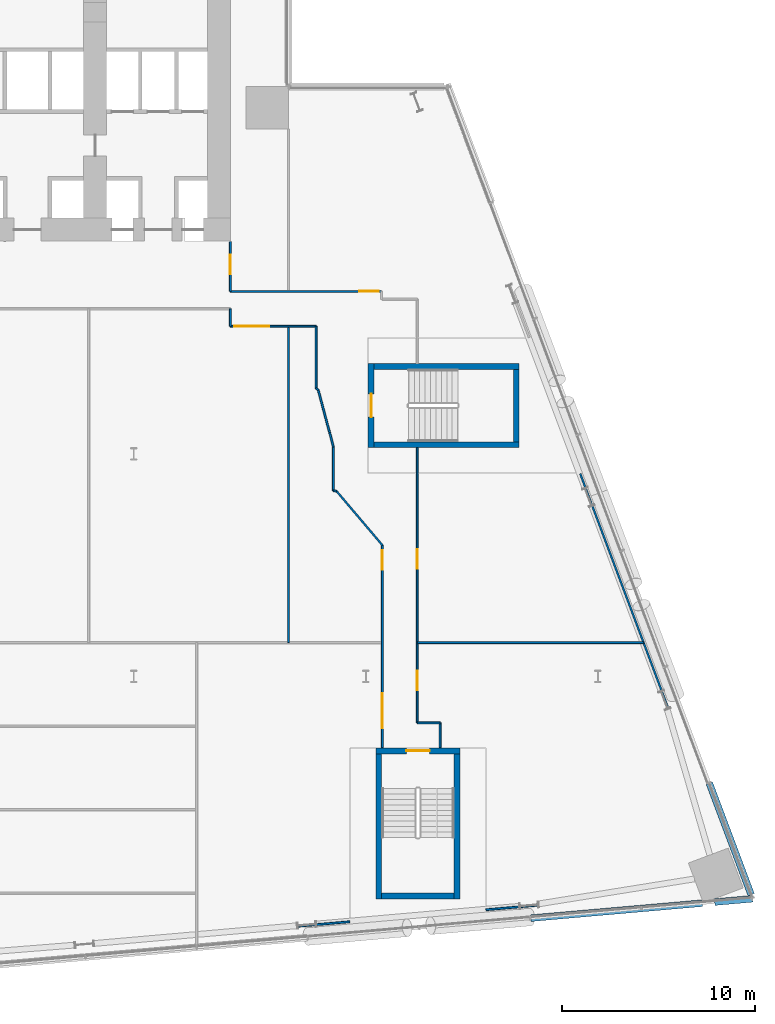
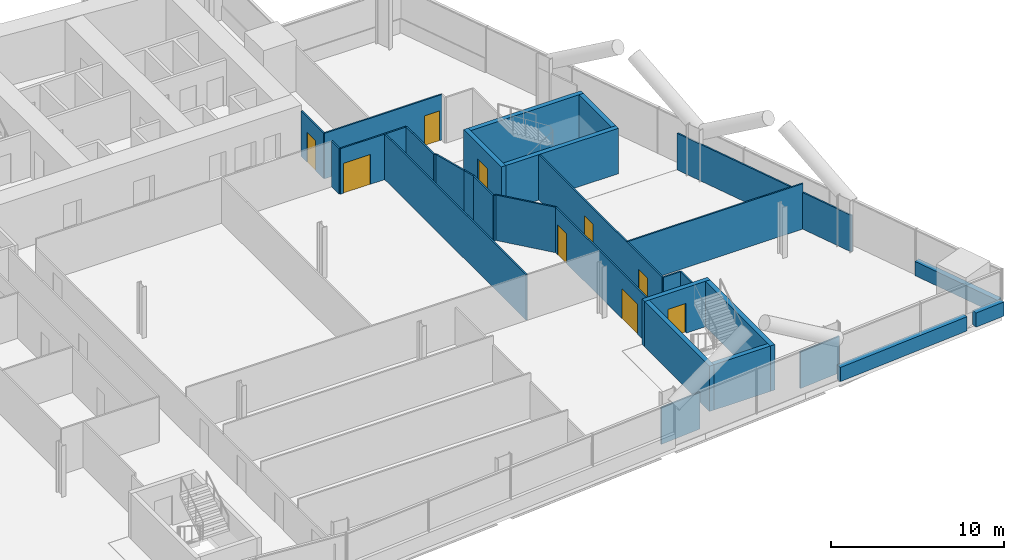
# One storey, part 18 of 27: 31 walls, 9 doors, 9 openings.
"""IFC4 building model written with IfcOpenShell, lengths in metres."""

from ifc_helpers import new_model, si_unit, direction, frame, frame_2d, origin, place, context, subcontext, project, spatial, rectangle, extrude, material, layer, layer_set, type_object, element, fill, save


model = new_model("IFC4")

# Units and contexts
model_context = context("Model", 3, precision=1e-05, world=origin(), true_north=direction((0.0, 1.0)))
body_context = subcontext(model_context, "Body", "Model", "MODEL_VIEW")
ifc_project = project(units=[si_unit("LENGTHUNIT", "METRE"), si_unit("AREAUNIT", "SQUARE_METRE"), si_unit("VOLUMEUNIT", "CUBIC_METRE"), si_unit("PLANEANGLEUNIT", "RADIAN"), si_unit("MASSUNIT", "GRAM", prefix="KILO")], contexts=[model_context])

# Site, building, storey
site_placement = place(None, origin())
site = spatial("IfcSite", under=ifc_project, at=site_placement, CompositionType="ELEMENT")
building_placement = place(site_placement, origin())
building = spatial("IfcBuilding", under=site, at=building_placement, Name="Wharfspan Tower", CompositionType="ELEMENT")
storey_placement = place(building_placement, frame((0.0, 0.0, 73.899902)))
storey = spatial("IfcBuildingStorey", under=building, at=storey_placement, Name="L15", CompositionType="ELEMENT", Elevation=73.899902)

# Wall
ifc_material_1 = material(Name="Gypsum board on steel studs", Category="steel")
ifc_layer_1 = layer(ifc_material_1, 0.100098)
ifc_layer_set_1 = layer_set([ifc_layer_1], Name="Gypsum board on steel studs")
wall_type_1 = type_object("IfcWallType", Name="Compartment wall 100 EI 60", PredefinedType="PARTITIONING", material=ifc_layer_set_1)
wall_1_placement = place(storey_placement, frame((65.0, 29.600098, 0.0), z_axis=(0.0, 0.0, 1.0), x_axis=(0.0, 1.0, 0.0)))
element("IfcWall", 1, at=wall_1_placement, inside=storey, type_object=wall_type_1, Name="Partition L15.w048", PredefinedType="PARTITIONING", context=body_context, shape_type="SweptSolid", body=[
    extrude(rectangle(XDim=0.899902, YDim=0.100098, at=frame_2d((0.449951, 0.0))), origin(), (0.0, 0.0, 1.0), 3.200195),
])

# Wall, opening, door
wall_2_placement = place(storey_placement, frame((65.0, 29.600098, 0.0), z_axis=(0.0, 0.0, 1.0), x_axis=(1.0, 0.0, 0.0)))
wall_2 = element("IfcWall", 2, at=wall_2_placement, inside=storey, type_object=wall_type_1, Name="Partition L15.w049", PredefinedType="PARTITIONING", context=body_context, shape_type="SweptSolid", body=[
    extrude(rectangle(XDim=4.425049, YDim=0.100098, at=frame_2d((2.212402, 0.0))), origin(), (0.0, 0.0, 1.0), 3.200195),
])
opening_1_placement = place(wall_2_placement, frame((0.199951, 0.0, 0.0)))
opening_1 = element("IfcOpeningElement", 3, at=opening_1_placement, cuts=wall_2, Name="Opening A4-29", PredefinedType="OPENING", context=body_context, shape_type="SweptSolid", body=[
    extrude(rectangle(XDim=1.800049, YDim=2.100098, at=frame_2d((0.899902, 1.050049))), frame((0.0, 0.060059, 0.0), z_axis=(0.0, -1.0, 0.0), x_axis=(1.0, 0.0, 0.0)), (0.0, 0.0, 1.0), 0.120117),
])
ifc_material_2 = material(Name="Fire-rated timber door leaf in steel frame", Category="steel")
door_type_1 = type_object("IfcDoorType", Name="Door 1800 FD30S Double", OperationType="DOUBLE_DOOR_SINGLE_SWING", PredefinedType="DOOR", material=ifc_material_2)
door_1_placement = place(opening_1_placement, origin())
door_1 = element("IfcDoor", 4, at=door_1_placement, inside=storey, type_object=door_type_1, Name="Door A4-29", OperationType="DOUBLE_DOOR_SINGLE_SWING", OverallHeight=2.100098, OverallWidth=1.800049, PredefinedType="DOOR", context=body_context, shape_type="SweptSolid", body=[
    extrude(rectangle(XDim=1.800049, YDim=2.100098, at=frame_2d((0.899902, 1.050049))), frame((0.0, 0.024902, 0.0), z_axis=(0.0, -1.0, 0.0), x_axis=(1.0, 0.0, 0.0)), (0.0, 0.0, 1.0), 0.050049),
])
fill(opening_1, door_1)

wall_3_placement = place(storey_placement, frame((65.0, 31.399902, 0.0), z_axis=(0.0, 0.0, 1.0), x_axis=(0.0, 1.0, 0.0)))
wall_3 = element("IfcWall", 5, at=wall_3_placement, inside=storey, type_object=wall_type_1, Name="Partition L15.w050", PredefinedType="PARTITIONING", context=body_context, shape_type="SweptSolid", body=[
    extrude(rectangle(XDim=2.580078, YDim=0.100098, at=frame_2d((1.290039, 0.0))), origin(), (0.0, 0.0, 1.0), 3.200195),
])
opening_2_placement = place(wall_3_placement, frame((0.899902, 0.0, 0.0)))
opening_2 = element("IfcOpeningElement", 6, at=opening_2_placement, cuts=wall_3, Name="Opening A4-34", PredefinedType="OPENING", context=body_context, shape_type="SweptSolid", body=[
    extrude(rectangle(XDim=1.0, YDim=2.100098, at=frame_2d((0.5, 1.050049))), frame((0.0, 0.060059, 0.0), z_axis=(0.0, -1.0, 0.0), x_axis=(1.0, 0.0, 0.0)), (0.0, 0.0, 1.0), 0.120117),
])
door_type_2 = type_object("IfcDoorType", Name="Door 1000 FD30S Right", OperationType="SINGLE_SWING_RIGHT", PredefinedType="DOOR", material=ifc_material_2)
door_2_placement = place(opening_2_placement, origin())
door_2 = element("IfcDoor", 7, at=door_2_placement, inside=storey, type_object=door_type_2, Name="Door A4-34", OperationType="SINGLE_SWING_RIGHT", OverallHeight=2.100098, OverallWidth=1.0, PredefinedType="DOOR", context=body_context, shape_type="SweptSolid", body=[
    extrude(rectangle(XDim=1.0, YDim=2.100098, at=frame_2d((0.5, 1.050049))), frame((0.0, 0.024902, 0.0), z_axis=(0.0, -1.0, 0.0), x_axis=(1.0, 0.0, 0.0)), (0.0, 0.0, 1.0), 0.050049),
])
fill(opening_2, door_2)

wall_4_placement = place(storey_placement, frame((65.0, 31.399902, 0.0), z_axis=(0.0, 0.0, 1.0), x_axis=(1.0, 0.0, 0.0)))
wall_4 = element("IfcWall", 8, at=wall_4_placement, inside=storey, type_object=wall_type_1, Name="Partition L15.w051", PredefinedType="PARTITIONING", context=body_context, shape_type="SweptSolid", body=[
    extrude(rectangle(XDim=7.810059, YDim=0.100098, at=frame_2d((3.905029, 0.0))), origin(), (0.0, 0.0, 1.0), 3.200195),
])
opening_3_placement = place(wall_4_placement, frame((6.657227, 0.0, 0.0)))
opening_3 = element("IfcOpeningElement", 9, at=opening_3_placement, cuts=wall_4, Name="Opening A4-33", PredefinedType="OPENING", context=body_context, shape_type="SweptSolid", body=[
    extrude(rectangle(XDim=1.0, YDim=2.100098, at=frame_2d((0.5, 1.050049))), frame((0.0, 0.060059, 0.0), z_axis=(0.0, -1.0, 0.0), x_axis=(1.0, 0.0, 0.0)), (0.0, 0.0, 1.0), 0.120117),
])
door_3_placement = place(opening_3_placement, origin())
door_3 = element("IfcDoor", 10, at=door_3_placement, inside=storey, type_object=door_type_2, Name="Door A4-33", OperationType="SINGLE_SWING_RIGHT", OverallHeight=2.100098, OverallWidth=1.0, PredefinedType="DOOR", context=body_context, shape_type="SweptSolid", body=[
    extrude(rectangle(XDim=1.0, YDim=2.100098, at=frame_2d((0.5, 1.050049))), frame((0.0, 0.024902, 0.0), z_axis=(0.0, -1.0, 0.0), x_axis=(1.0, 0.0, 0.0)), (0.0, 0.0, 1.0), 0.050049),
])
fill(opening_3, door_3)

# Walls
wall_5_placement = place(storey_placement, frame((68.0, 13.23999, 0.0), z_axis=(0.0, 0.0, 1.0), x_axis=(0.0, 1.0, 0.0)))
element("IfcWall", 11, at=wall_5_placement, inside=storey, type_object=wall_type_1, Name="Partition L15.w052", PredefinedType="PARTITIONING", context=body_context, shape_type="SweptSolid", body=[
    extrude(rectangle(XDim=16.360107, YDim=0.100098, at=frame_2d((8.180176, 0.0))), origin(), (0.0, 0.0, 1.0), 3.200195),
])
wall_6_placement = place(storey_placement, frame((69.425049, 26.399902, 0.0), z_axis=(0.0, 0.0, 1.0), x_axis=(0.0, 1.0, 0.0)))
element("IfcWall", 12, at=wall_6_placement, inside=storey, type_object=wall_type_1, Name="Partition L15.w055", PredefinedType="PARTITIONING", context=body_context, shape_type="SweptSolid", body=[
    extrude(rectangle(XDim=3.200195, YDim=0.100098, at=frame_2d((1.600098, 0.0))), origin(), (0.0, 0.0, 1.0), 3.200195),
])
wall_7_placement = place(storey_placement, frame((69.540039, 26.310059, 0.0), z_axis=(0.0, 0.0, 1.0), x_axis=(-0.787997, 0.615675, 0.0)))
element("IfcWall", 13, at=wall_7_placement, inside=storey, type_object=wall_type_1, Name="Partition L15.w056", PredefinedType="PARTITIONING", context=body_context, shape_type="SweptSolid", body=[
    extrude(rectangle(XDim=0.145996, YDim=0.100098, at=frame_2d((0.072998, 0.0))), origin(), (0.0, 0.0, 1.0), 3.200195),
])
wall_8_placement = place(storey_placement, frame((70.129883, 24.094971, 0.0), z_axis=(0.0, 0.0, 1.0), x_axis=(-0.257318, 0.966327, 0.0)))
element("IfcWall", 14, at=wall_8_placement, inside=storey, type_object=wall_type_1, Name="Partition L15.w057", PredefinedType="PARTITIONING", context=body_context, shape_type="SweptSolid", body=[
    extrude(rectangle(XDim=2.292236, YDim=0.100098, at=frame_2d((1.145996, 0.0))), origin(), (0.0, 0.0, 1.0), 3.200195),
])
wall_9_placement = place(storey_placement, frame((70.324951, 21.100098, 0.0), z_axis=(0.0, 0.0, 1.0), x_axis=(0.0, 1.0, 0.0)))
element("IfcWall", 15, at=wall_9_placement, inside=storey, type_object=wall_type_1, Name="Partition L15.w058", PredefinedType="PARTITIONING", context=body_context, shape_type="SweptSolid", body=[
    extrude(rectangle(XDim=2.254883, YDim=0.100098, at=frame_2d((1.127441, 0.0))), origin(), (0.0, 0.0, 1.0), 3.200195),
])
wall_10_placement = place(storey_placement, frame((70.324951, 23.35498, 0.0), z_axis=(0.0, 0.0, 1.0), x_axis=(-0.254901, 0.966965, 0.0)))
element("IfcWall", 16, at=wall_10_placement, inside=storey, type_object=wall_type_1, Name="Partition L15.w059", PredefinedType="PARTITIONING", context=body_context, shape_type="SweptSolid", body=[
    extrude(rectangle(XDim=0.765381, YDim=0.100098, at=frame_2d((0.382812, 0.0))), origin(), (0.0, 0.0, 1.0), 3.200195),
])
wall_11_placement = place(storey_placement, frame((70.485107, 21.074951, 0.0), z_axis=(0.0, 0.0, 1.0), x_axis=(-0.987098, 0.160112, 0.0)))
element("IfcWall", 17, at=wall_11_placement, inside=storey, type_object=wall_type_1, Name="Partition L15.w060", PredefinedType="PARTITIONING", context=body_context, shape_type="SweptSolid", body=[
    extrude(rectangle(XDim=0.156982, YDim=0.100098, at=frame_2d((0.078613, 0.0))), origin(), (0.0, 0.0, 1.0), 3.200195),
])

# Wall, openings, doors
wall_12_placement = place(storey_placement, frame((72.860107, 7.812012, 0.0), z_axis=(0.0, 0.0, 1.0), x_axis=(0.0, 1.0, 0.0)))
wall_12 = element("IfcWall", 18, at=wall_12_placement, inside=storey, type_object=wall_type_1, Name="Partition L15.w062", PredefinedType="PARTITIONING", context=body_context, shape_type="SweptSolid", body=[
    extrude(rectangle(XDim=10.462891, YDim=0.100098, at=frame_2d((5.231445, 0.0))), origin(), (0.0, 0.0, 1.0), 3.200195),
])
opening_4_placement = place(wall_12_placement, frame((1.008057, 0.0, 0.0)))
opening_4 = element("IfcOpeningElement", 19, at=opening_4_placement, cuts=wall_12, Name="Opening A4-08", PredefinedType="OPENING", context=body_context, shape_type="SweptSolid", body=[
    extrude(rectangle(XDim=1.800049, YDim=2.100098, at=frame_2d((0.899902, 1.050049))), frame((0.0, 0.060059, 0.0), z_axis=(0.0, -1.0, 0.0), x_axis=(1.0, 0.0, 0.0)), (0.0, 0.0, 1.0), 0.120117),
])
opening_5_placement = place(wall_12_placement, frame((9.196533, 0.0, 0.0)))
opening_5 = element("IfcOpeningElement", 20, at=opening_5_placement, cuts=wall_12, Name="Opening A4-16", PredefinedType="OPENING", context=body_context, shape_type="SweptSolid", body=[
    extrude(rectangle(XDim=1.0, YDim=2.100098, at=frame_2d((0.5, 1.050049))), frame((0.0, 0.060059, 0.0), z_axis=(0.0, -1.0, 0.0), x_axis=(1.0, 0.0, 0.0)), (0.0, 0.0, 1.0), 0.120117),
])
door_4_placement = place(opening_5_placement, origin())
door_4 = element("IfcDoor", 21, at=door_4_placement, inside=storey, type_object=door_type_2, Name="Door A4-16", OperationType="SINGLE_SWING_RIGHT", OverallHeight=2.100098, OverallWidth=1.0, PredefinedType="DOOR", context=body_context, shape_type="SweptSolid", body=[
    extrude(rectangle(XDim=1.0, YDim=2.100098, at=frame_2d((0.5, 1.050049))), frame((0.0, 0.024902, 0.0), z_axis=(0.0, -1.0, 0.0), x_axis=(1.0, 0.0, 0.0)), (0.0, 0.0, 1.0), 0.050049),
])
fill(opening_5, door_4)
door_5_placement = place(opening_4_placement, origin())
door_5 = element("IfcDoor", 22, at=door_5_placement, inside=storey, type_object=door_type_1, Name="Door A4-08", OperationType="DOUBLE_DOOR_SINGLE_SWING", OverallHeight=2.100098, OverallWidth=1.800049, PredefinedType="DOOR", context=body_context, shape_type="SweptSolid", body=[
    extrude(rectangle(XDim=1.800049, YDim=2.100098, at=frame_2d((0.899902, 1.050049))), frame((0.0, 0.024902, 0.0), z_axis=(0.0, -1.0, 0.0), x_axis=(1.0, 0.0, 0.0)), (0.0, 0.0, 1.0), 0.050049),
])
fill(opening_4, door_5)

# Wall
wall_13_placement = place(storey_placement, frame((72.860107, 18.274902, 0.0), z_axis=(0.0, 0.0, 1.0), x_axis=(-0.646848, 0.762613, 0.0)))
element("IfcWall", 23, at=wall_13_placement, inside=storey, type_object=wall_type_1, Name="Partition L15.w064", PredefinedType="PARTITIONING", context=body_context, shape_type="SweptSolid", body=[
    extrude(rectangle(XDim=3.671631, YDim=0.100098, at=frame_2d((1.835938, 0.0))), origin(), (0.0, 0.0, 1.0), 3.200195),
])

# Wall, openings, doors
wall_14_placement = place(storey_placement, frame((74.659912, 9.094971, 0.0), z_axis=(0.0, 0.0, 1.0), x_axis=(0.0, 1.0, 0.0)))
wall_14 = element("IfcWall", 24, at=wall_14_placement, inside=storey, type_object=wall_type_1, Name="Partition L15.w065", PredefinedType="PARTITIONING", context=body_context, shape_type="SweptSolid", body=[
    extrude(rectangle(XDim=14.22998, YDim=0.100098, at=frame_2d((7.11499, 0.0))), origin(), (0.0, 0.0, 1.0), 3.200195),
])
opening_6_placement = place(wall_14_placement, frame((1.695068, 0.0, 0.0)))
opening_6 = element("IfcOpeningElement", 25, at=opening_6_placement, cuts=wall_14, Name="Opening A4-12", PredefinedType="OPENING", context=body_context, shape_type="SweptSolid", body=[
    extrude(rectangle(XDim=1.0, YDim=2.100098, at=frame_2d((0.5, 1.050049))), frame((0.0, 0.060059, 0.0), z_axis=(0.0, -1.0, 0.0), x_axis=(1.0, 0.0, 0.0)), (0.0, 0.0, 1.0), 0.120117),
])
opening_7_placement = place(wall_14_placement, frame((7.965088, 0.0, 0.0)))
opening_7 = element("IfcOpeningElement", 26, at=opening_7_placement, cuts=wall_14, Name="Opening A4-17", PredefinedType="OPENING", context=body_context, shape_type="SweptSolid", body=[
    extrude(rectangle(XDim=1.0, YDim=2.100098, at=frame_2d((0.5, 1.050049))), frame((0.0, 0.060059, 0.0), z_axis=(0.0, -1.0, 0.0), x_axis=(1.0, 0.0, 0.0)), (0.0, 0.0, 1.0), 0.120117),
])
door_type_3 = type_object("IfcDoorType", Name="Door 1000 FD30S Left", OperationType="SINGLE_SWING_LEFT", PredefinedType="DOOR", material=ifc_material_2)
door_6_placement = place(opening_6_placement, origin())
door_6 = element("IfcDoor", 27, at=door_6_placement, inside=storey, type_object=door_type_3, Name="Door A4-12", OperationType="SINGLE_SWING_LEFT", OverallHeight=2.100098, OverallWidth=1.0, PredefinedType="DOOR", context=body_context, shape_type="SweptSolid", body=[
    extrude(rectangle(XDim=1.0, YDim=2.100098, at=frame_2d((0.5, 1.050049))), frame((0.0, 0.024902, 0.0), z_axis=(0.0, -1.0, 0.0), x_axis=(1.0, 0.0, 0.0)), (0.0, 0.0, 1.0), 0.050049),
])
fill(opening_6, door_6)
door_7_placement = place(opening_7_placement, origin())
door_7 = element("IfcDoor", 28, at=door_7_placement, inside=storey, type_object=door_type_2, Name="Door A4-17", OperationType="SINGLE_SWING_RIGHT", OverallHeight=2.100098, OverallWidth=1.0, PredefinedType="DOOR", context=body_context, shape_type="SweptSolid", body=[
    extrude(rectangle(XDim=1.0, YDim=2.100098, at=frame_2d((0.5, 1.050049))), frame((0.0, 0.024902, 0.0), z_axis=(0.0, -1.0, 0.0), x_axis=(1.0, 0.0, 0.0)), (0.0, 0.0, 1.0), 0.050049),
])
fill(opening_7, door_7)

# Walls
wall_15_placement = place(storey_placement, frame((74.665039, 9.094971, 0.0), z_axis=(0.0, 0.0, 1.0), x_axis=(1.0, 0.0, 0.0)))
element("IfcWall", 29, at=wall_15_placement, inside=storey, type_object=wall_type_1, Name="Partition L15.w067", PredefinedType="PARTITIONING", context=body_context, shape_type="SweptSolid", body=[
    extrude(rectangle(XDim=1.175049, YDim=0.100098, at=frame_2d((0.587402, 0.0))), origin(), (0.0, 0.0, 1.0), 3.200195),
])
wall_16_placement = place(storey_placement, frame((74.665039, 13.23999, 0.0), z_axis=(0.0, 0.0, 1.0), x_axis=(1.0, 0.0, 0.0)))
element("IfcWall", 30, at=wall_16_placement, inside=storey, type_object=wall_type_1, Name="Partition L15.w068", PredefinedType="PARTITIONING", context=body_context, shape_type="SweptSolid", body=[
    extrude(rectangle(XDim=11.699951, YDim=0.100098, at=frame_2d((5.850098, 0.0))), origin(), (0.0, 0.0, 1.0), 3.200195),
])
wall_17_placement = place(storey_placement, frame((75.844971, 7.812012, 0.0), z_axis=(0.0, 0.0, 1.0), x_axis=(0.0, 1.0, 0.0)))
element("IfcWall", 31, at=wall_17_placement, inside=storey, type_object=wall_type_1, Name="Partition L15.w069", PredefinedType="PARTITIONING", context=body_context, shape_type="SweptSolid", body=[
    extrude(rectangle(XDim=1.278076, YDim=0.100098, at=frame_2d((0.63916, 0.0))), origin(), (0.0, 0.0, 1.0), 3.200195),
])
ifc_layer_2 = layer(ifc_material_1, 0.100098)
ifc_layer_set_2 = layer_set([ifc_layer_2], Name="Gypsum board on steel studs")
wall_type_2 = type_object("IfcWallType", Name="Partition 100", PredefinedType="PARTITIONING", material=ifc_layer_set_2)
wall_18_placement = place(storey_placement, frame((68.445068, -1.429932, 0.0), z_axis=(0.0, 0.0, 1.0), x_axis=(0.996195, 0.087118, 0.0)))
element("IfcWall", 32, at=wall_18_placement, inside=storey, type_object=wall_type_2, Name="Partition L15.w054", PredefinedType="PARTITIONING", context=body_context, shape_type="SweptSolid", body=[
    extrude(rectangle(XDim=2.738037, YDim=0.100098, at=frame_2d((1.369141, 0.0))), origin(), (0.0, 0.0, 1.0), 2.580078),
])
wall_19_placement = place(storey_placement, frame((78.212402, -0.572998, 0.0), z_axis=(0.0, 0.0, 1.0), x_axis=(0.996224, 0.086779, 0.0)))
element("IfcWall", 33, at=wall_19_placement, inside=storey, type_object=wall_type_2, Name="Partition L15.w070", PredefinedType="PARTITIONING", context=body_context, shape_type="SweptSolid", body=[
    extrude(rectangle(XDim=2.74292, YDim=0.100098, at=frame_2d((1.371582, 0.0))), origin(), (0.0, 0.0, 1.0), 2.580078),
])
wall_20_placement = place(storey_placement, frame((87.649902, 9.810059, 0.0), z_axis=(0.0, 0.0, 1.0), x_axis=(-0.35104, 0.936357, 0.0)))
element("IfcWall", 34, at=wall_20_placement, inside=storey, type_object=wall_type_2, Name="Partition L15.w073", PredefinedType="PARTITIONING", context=body_context, shape_type="SweptSolid", body=[
    extrude(rectangle(XDim=12.99707, YDim=0.100098, at=frame_2d((6.498535, 0.0))), origin(), (0.0, 0.0, 1.0), 2.580078),
])
ifc_material_3 = material(Name="Concrete C40/50", Category="concrete")
ifc_layer_3 = layer(ifc_material_3, 0.350098)
ifc_layer_set_3 = layer_set([ifc_layer_3], Name="Concrete C40/50")
wall_type_3 = type_object("IfcWallType", Name="SPANDREL EXPOSED CONCRETE 350", PredefinedType="SOLIDWALL", material=ifc_layer_set_3)
wall_21_placement = place(storey_placement, frame((80.530273, -1.008545, 0.0), z_axis=(0.0, 0.0, 1.0), x_axis=(0.996198, 0.087169, 0.0)))
element("IfcWall", 35, at=wall_21_placement, inside=storey, type_object=wall_type_3, Name="Spandrel upstand L15 S2 2", PredefinedType="SOLIDWALL", context=body_context, shape_type="SweptSolid", body=[
    extrude(rectangle(XDim=8.912109, YDim=0.350098, at=frame_2d((4.456055, 0.0))), origin(), (0.0, 0.0, 1.0), 1.0),
])
wall_22_placement = place(storey_placement, frame((90.039062, -0.176514, 0.0), z_axis=(0.0, 0.0, 1.0), x_axis=(0.996193, 0.08717, 0.0)))
element("IfcWall", 36, at=wall_22_placement, inside=storey, type_object=wall_type_3, Name="Spandrel upstand L15 S2 3", PredefinedType="SOLIDWALL", context=body_context, shape_type="SweptSolid", body=[
    extrude(rectangle(XDim=1.968994, YDim=0.350098, at=frame_2d((0.984375, 0.0))), origin(), (0.0, 0.0, 1.0), 1.0),
])
wall_23_placement = place(storey_placement, frame((91.926025, 0.211182, 0.0), z_axis=(0.0, 0.0, 1.0), x_axis=(-0.351118, 0.936328, 0.0)))
element("IfcWall", 37, at=wall_23_placement, inside=storey, type_object=wall_type_3, Name="Spandrel upstand L15 E 1", PredefinedType="SOLIDWALL", context=body_context, shape_type="SweptSolid", body=[
    extrude(rectangle(XDim=6.154297, YDim=0.350098, at=frame_2d((3.077148, 0.0))), origin(), (0.0, 0.0, 1.0), 1.0),
])

# Wall, opening, door
ifc_layer_4 = layer(ifc_material_3, 0.300049)
ifc_layer_set_4 = layer_set([ifc_layer_4], Name="Concrete C40/50")
wall_type_4 = type_object("IfcWallType", Name="Stair core wall 300", PredefinedType="SHEAR", material=ifc_layer_set_4)
wall_24_placement = place(storey_placement, frame((72.517578, 7.64209, 0.0), z_axis=(0.0, 0.0, 1.0), x_axis=(1.0, 0.0, 0.0)))
wall_24 = element("IfcWall", 38, at=wall_24_placement, inside=storey, type_object=wall_type_4, Name="ST5 stair enclosure wall L15", PredefinedType="SHEAR", context=body_context, shape_type="SweptSolid", body=[
    extrude(rectangle(XDim=4.349854, YDim=0.300049, at=frame_2d((2.174805, 0.0))), origin(), (0.0, 0.0, 1.0), 3.200195),
])
opening_8_placement = place(wall_24_placement, frame((1.574951, 0.0, 0.0)))
opening_8 = element("IfcOpeningElement", 39, at=opening_8_placement, cuts=wall_24, Name="Opening SD5.L15", PredefinedType="OPENING", context=body_context, shape_type="SweptSolid", body=[
    extrude(rectangle(XDim=1.199951, YDim=2.100098, at=frame_2d((0.600098, 1.050049))), frame((0.0, 0.159912, 0.0), z_axis=(0.0, -1.0, 0.0), x_axis=(1.0, 0.0, 0.0)), (0.0, 0.0, 1.0), 0.320068),
])
ifc_material_4 = material(Name="Steel door leaf", Category="steel")
door_type_4 = type_object("IfcDoorType", Name="Stair door 1200x2100", OperationType="SINGLE_SWING_LEFT", PredefinedType="DOOR", material=ifc_material_4)
door_8_placement = place(opening_8_placement, origin())
door_8 = element("IfcDoor", 40, at=door_8_placement, inside=storey, type_object=door_type_4, Name="sd:L15:ST5z1", OperationType="SINGLE_SWING_RIGHT", OverallHeight=2.100098, OverallWidth=1.199951, PredefinedType="DOOR", context=body_context, shape_type="SweptSolid", body=[
    extrude(rectangle(XDim=1.199951, YDim=2.100098, at=frame_2d((0.600098, 1.050049))), frame((0.0, 0.024902, 0.0), z_axis=(0.0, -1.0, 0.0), x_axis=(1.0, 0.0, 0.0)), (0.0, 0.0, 1.0), 0.050049),
])
fill(opening_8, door_8)

wall_25_placement = place(storey_placement, frame((72.274902, 23.324951, 0.0), z_axis=(0.0, 0.0, 1.0), x_axis=(0.0, 1.0, 0.0)))
wall_25 = element("IfcWall", 41, at=wall_25_placement, inside=storey, type_object=wall_type_4, Name="ST6 stair enclosure wall L15", PredefinedType="SHEAR", context=body_context, shape_type="SweptSolid", body=[
    extrude(rectangle(XDim=4.350098, YDim=0.300049, at=frame_2d((2.175049, 0.0))), origin(), (0.0, 0.0, 1.0), 3.200195),
])
opening_9_placement = place(wall_25_placement, frame((1.574951, 0.0, 0.0)))
opening_9 = element("IfcOpeningElement", 42, at=opening_9_placement, cuts=wall_25, Name="Opening SD6.L15", PredefinedType="OPENING", context=body_context, shape_type="SweptSolid", body=[
    extrude(rectangle(XDim=1.199951, YDim=2.100098, at=frame_2d((0.600098, 1.050049))), frame((0.0, 0.159912, 0.0), z_axis=(0.0, -1.0, 0.0), x_axis=(1.0, 0.0, 0.0)), (0.0, 0.0, 1.0), 0.320068),
])
door_9_placement = place(opening_9_placement, origin())
door_9 = element("IfcDoor", 43, at=door_9_placement, inside=storey, type_object=door_type_4, Name="sd:L15:ST6z1", OperationType="SINGLE_SWING_RIGHT", OverallHeight=2.100098, OverallWidth=1.199951, PredefinedType="DOOR", context=body_context, shape_type="SweptSolid", body=[
    extrude(rectangle(XDim=1.199951, YDim=2.100098, at=frame_2d((0.600098, 1.050049))), frame((0.0, 0.024902, 0.0), z_axis=(0.0, -1.0, 0.0), x_axis=(1.0, 0.0, 0.0)), (0.0, 0.0, 1.0), 0.050049),
])
fill(opening_9, door_9)

# Walls
for number, where, z_axis, x_axis, name in (
    (44, (72.66748, -0.008057, 0.0), (0.0, 0.0, 1.0), (0.0, 1.0, 0.0), "ST5 stair enclosure wall L15"),
    (45, (76.717529, -0.008057, 0.0), (0.0, 0.0, 1.0), (0.0, 1.0, 0.0), "ST5 stair enclosure wall L15"),
):
    element("IfcWall", number, at=place(storey_placement, frame(where, z_axis=z_axis, x_axis=x_axis)), inside=storey, type_object=wall_type_4, Name=name, PredefinedType="SHEAR", context=body_context, shape_type="SweptSolid", body=[
        extrude(rectangle(XDim=7.5, YDim=0.300049, at=frame_2d((3.75, 0.0))), origin(), (0.0, 0.0, 1.0), 3.200195),
    ])
wall_26_placement = place(storey_placement, frame((72.817383, 0.14209, 0.0), z_axis=(0.0, 0.0, 1.0), x_axis=(1.0, 0.0, 0.0)))
element("IfcWall", 46, at=wall_26_placement, inside=storey, type_object=wall_type_4, Name="ST5 stair enclosure wall L15", PredefinedType="SHEAR", context=body_context, shape_type="SweptSolid", body=[
    extrude(rectangle(XDim=3.75, YDim=0.300049, at=frame_2d((1.875, 0.0))), origin(), (0.0, 0.0, 1.0), 3.200195),
])
for number, where, z_axis, x_axis, name in (
    (47, (72.425049, 23.475098, 0.0), (0.0, 0.0, 1.0), (1.0, 0.0, 0.0), "ST6 stair enclosure wall L15"),
    (48, (72.425049, 27.524902, 0.0), (0.0, 0.0, 1.0), (1.0, 0.0, 0.0), "ST6 stair enclosure wall L15"),
):
    element("IfcWall", number, at=place(storey_placement, frame(where, z_axis=z_axis, x_axis=x_axis)), inside=storey, type_object=wall_type_4, Name=name, PredefinedType="SHEAR", context=body_context, shape_type="SweptSolid", body=[
        extrude(rectangle(XDim=7.5, YDim=0.300049, at=frame_2d((3.75, 0.0))), origin(), (0.0, 0.0, 1.0), 3.200195),
    ])
wall_27_placement = place(storey_placement, frame((79.774902, 23.625, 0.0), z_axis=(0.0, 0.0, 1.0), x_axis=(0.0, 1.0, 0.0)))
element("IfcWall", 49, at=wall_27_placement, inside=storey, type_object=wall_type_4, Name="ST6 stair enclosure wall L15", PredefinedType="SHEAR", context=body_context, shape_type="SweptSolid", body=[
    extrude(rectangle(XDim=3.75, YDim=0.300049, at=frame_2d((1.875, 0.0))), origin(), (0.0, 0.0, 1.0), 3.200195),
])

save(model, "model.ifc")
